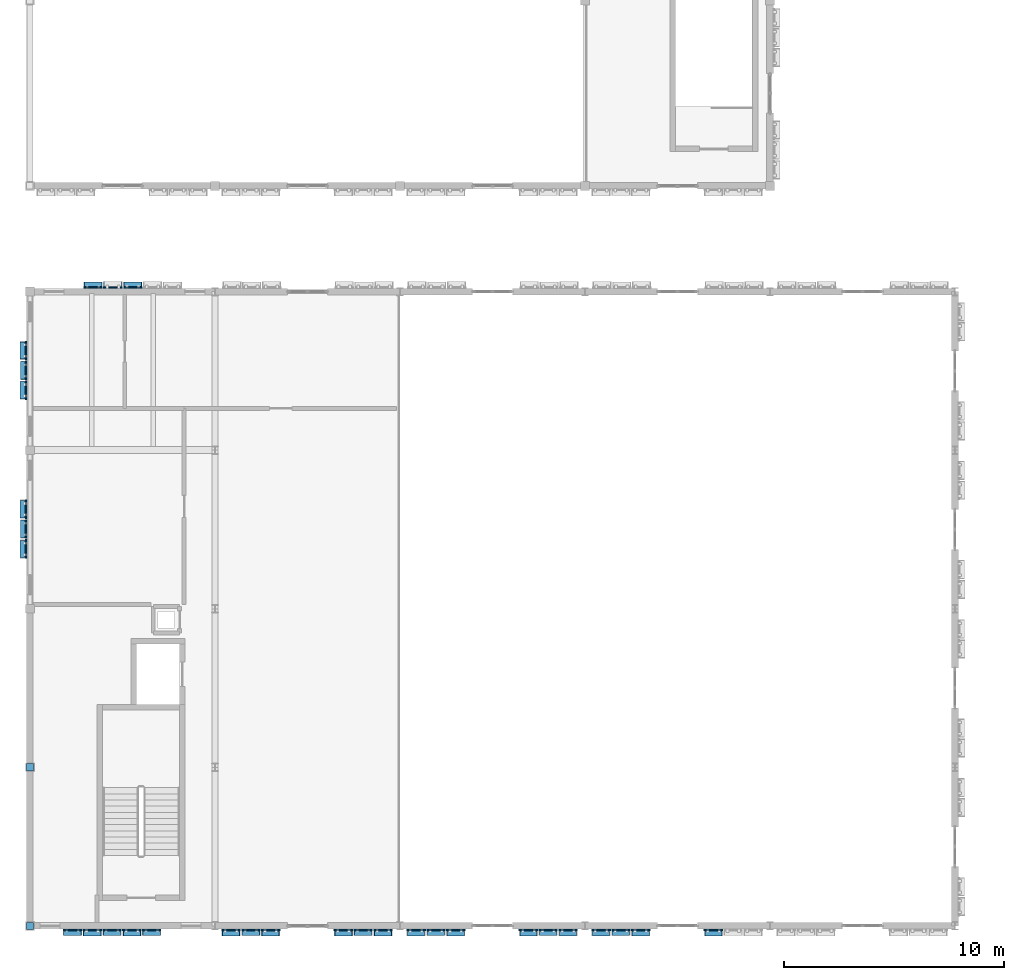
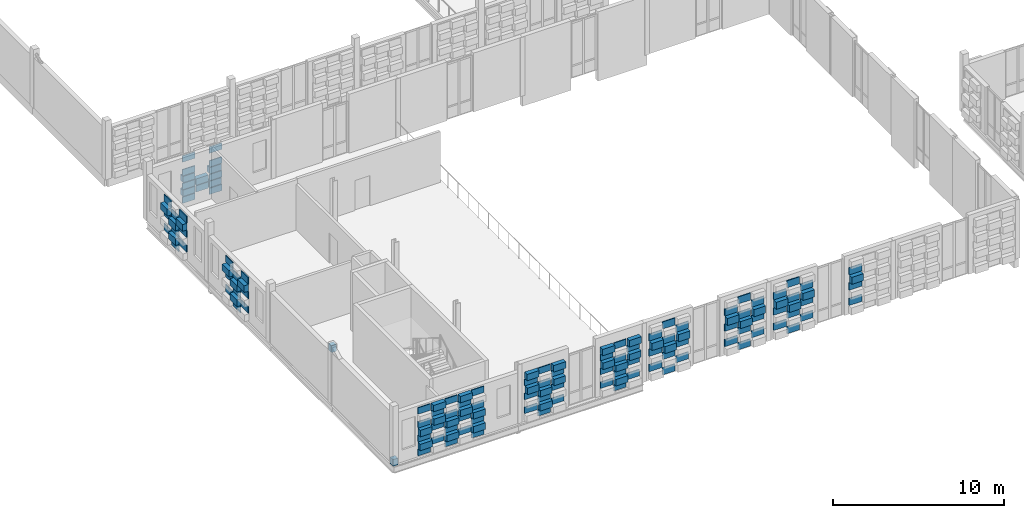
# One storey, part 42 of 81: 145 plates.
"""IFC4 building model written with IfcOpenShell, lengths in metres."""

from ifc_helpers import new_model, si_unit, direction, frame, origin, origin_2d, place, context, subcontext, project, spatial, rectangle, extrude, material, layer, layer_set, type_object, element, save


model = new_model("IFC4")

# Units and contexts
model_context = context("Model", 3, precision=1e-05, world=origin(), true_north=direction((0.0, 1.0)))
body_context = subcontext(model_context, "Body", "Model", "MODEL_VIEW")
ifc_project = project(units=[si_unit("LENGTHUNIT", "METRE"), si_unit("AREAUNIT", "SQUARE_METRE"), si_unit("VOLUMEUNIT", "CUBIC_METRE"), si_unit("PLANEANGLEUNIT", "RADIAN"), si_unit("MASSUNIT", "GRAM", prefix="KILO")], contexts=[model_context])

# Site, building, storey
site_placement = place(None, origin())
site = spatial("IfcSite", under=ifc_project, at=site_placement, CompositionType="ELEMENT")
building_placement = place(site_placement, origin())
building = spatial("IfcBuilding", under=site, at=building_placement, Name="Kahlenmark Community Centre", CompositionType="ELEMENT")
storey_placement = place(building_placement, frame((0.0, 0.0, 9.60009765625)))
storey = spatial("IfcBuildingStorey", under=building, at=storey_placement, Name="L02", CompositionType="ELEMENT", Elevation=9.60009765625)

# Plates
ifc_material_1 = material(Name="Extruded warm terracotta recessed weave tile", Category="masonry")
ifc_layer_1 = layer(ifc_material_1, 0.06005859375)
ifc_layer_set_1 = layer_set([ifc_layer_1], Name="Extruded warm terracotta recessed weave tile")
plate_type_1 = type_object("IfcPlateType", Name="PLT-TC-TC-R10-840X60X450", PredefinedType="SHEET", material=ifc_layer_set_1)
for number, where, z_axis, x_axis, name in (
    (1, (8.669921875, 37.780029296875, 0.10009765625), (0.0, 0.0, 1.0), (-1.0, 0.0, 0.0), "Basketweave terracotta cassette 1980"),
    (2, (8.669921875, 37.780029296875, 1.080078125), (0.0, 0.0, 1.0), (-1.0, 0.0, 0.0), "Basketweave terracotta cassette 1982"),
    (3, (8.669921875, 37.780029296875, 2.06005859375), (0.0, 0.0, 1.0), (-1.0, 0.0, 0.0), "Basketweave terracotta cassette 1984"),
    (4, (8.669921875, 37.780029296875, 3.0400390625), (0.0, 0.0, 1.0), (-1.0, 0.0, 0.0), "Basketweave terracotta cassette 1986"),
    (5, (6.8701171875, 37.780029296875, 0.10009765625), (0.0, 0.0, 1.0), (-1.0, 0.0, 0.0), "Basketweave terracotta cassette 1994"),
    (6, (6.8701171875, 37.780029296875, 1.080078125), (0.0, 0.0, 1.0), (-1.0, 0.0, 0.0), "Basketweave terracotta cassette 1996"),
    (7, (6.8701171875, 37.780029296875, 2.06005859375), (0.0, 0.0, 1.0), (-1.0, 0.0, 0.0), "Basketweave terracotta cassette 1998"),
    (8, (6.8701171875, 37.780029296875, 3.0400390625), (0.0, 0.0, 1.0), (-1.0, 0.0, 0.0), "Basketweave terracotta cassette 2000"),
):
    element("IfcPlate", number, at=place(storey_placement, frame(where, z_axis=z_axis, x_axis=x_axis)), inside=storey, type_object=plate_type_1, Name=name, PredefinedType="SHEET", context=body_context, shape_type="SweptSolid", body=[
        extrude(rectangle(XDim=0.840087890625, YDim=0.06005859375, at=origin_2d()), origin(), (0.0, 0.0, 1.0), 0.449951171875),
    ])
ifc_layer_2 = layer(ifc_material_1, 0.06005859375)
ifc_layer_set_2 = layer_set([ifc_layer_2], Name="Extruded warm terracotta recessed weave tile")
plate_type_2 = type_object("IfcPlateType", Name="PLT-TC-TC-R10-840X60X456", PredefinedType="SHEET", material=ifc_layer_set_2)
for number, where, z_axis, x_axis, name in (
    (9, (5.929931640625, 8.6201171875, 0.099853515625), (0.0, 0.0, 1.0), (1.0, 0.0, 0.0), "Basketweave terracotta cassette 1763"),
    (10, (5.929931640625, 8.6201171875, 1.091796875), (0.0, 0.0, 1.0), (1.0, 0.0, 0.0), "Basketweave terracotta cassette 1765"),
    (11, (5.929931640625, 8.6201171875, 2.083984375), (0.0, 0.0, 1.0), (1.0, 0.0, 0.0), "Basketweave terracotta cassette 1767"),
    (12, (5.929931640625, 8.6201171875, 3.075927734375), (0.0, 0.0, 1.0), (1.0, 0.0, 0.0), "Basketweave terracotta cassette 1769"),
    (13, (7.72998046875, 8.6201171875, 0.099853515625), (0.0, 0.0, 1.0), (1.0, 0.0, 0.0), "Basketweave terracotta cassette 1777"),
    (14, (7.72998046875, 8.6201171875, 1.091796875), (0.0, 0.0, 1.0), (1.0, 0.0, 0.0), "Basketweave terracotta cassette 1779"),
    (15, (7.72998046875, 8.6201171875, 2.083984375), (0.0, 0.0, 1.0), (1.0, 0.0, 0.0), "Basketweave terracotta cassette 1781"),
    (16, (7.72998046875, 8.6201171875, 3.075927734375), (0.0, 0.0, 1.0), (1.0, 0.0, 0.0), "Basketweave terracotta cassette 1783"),
    (17, (9.530029296875, 8.6201171875, 0.099853515625), (0.0, 0.0, 1.0), (1.0, 0.0, 0.0), "Basketweave terracotta cassette 1791"),
    (18, (9.530029296875, 8.6201171875, 1.091796875), (0.0, 0.0, 1.0), (1.0, 0.0, 0.0), "Basketweave terracotta cassette 1793"),
    (19, (9.530029296875, 8.6201171875, 2.083984375), (0.0, 0.0, 1.0), (1.0, 0.0, 0.0), "Basketweave terracotta cassette 1795"),
    (20, (9.530029296875, 8.6201171875, 3.075927734375), (0.0, 0.0, 1.0), (1.0, 0.0, 0.0), "Basketweave terracotta cassette 1797"),
    (21, (14.030029296875, 8.6201171875, 0.099853515625), (0.0, 0.0, 1.0), (1.0, 0.0, 0.0), "Basketweave terracotta cassette 1805"),
    (22, (14.030029296875, 8.6201171875, 1.091796875), (0.0, 0.0, 1.0), (1.0, 0.0, 0.0), "Basketweave terracotta cassette 1807"),
    (23, (14.030029296875, 8.6201171875, 2.083984375), (0.0, 0.0, 1.0), (1.0, 0.0, 0.0), "Basketweave terracotta cassette 1809"),
    (24, (14.030029296875, 8.6201171875, 3.075927734375), (0.0, 0.0, 1.0), (1.0, 0.0, 0.0), "Basketweave terracotta cassette 1811"),
    (25, (19.1298828125, 8.6201171875, 0.099853515625), (0.0, 0.0, 1.0), (1.0, 0.0, 0.0), "Basketweave terracotta cassette 1826"),
    (26, (19.1298828125, 8.6201171875, 1.091796875), (0.0, 0.0, 1.0), (1.0, 0.0, 0.0), "Basketweave terracotta cassette 1828"),
    (27, (19.1298828125, 8.6201171875, 2.083984375), (0.0, 0.0, 1.0), (1.0, 0.0, 0.0), "Basketweave terracotta cassette 1830"),
    (28, (19.1298828125, 8.6201171875, 3.075927734375), (0.0, 0.0, 1.0), (1.0, 0.0, 0.0), "Basketweave terracotta cassette 1832"),
):
    element("IfcPlate", number, at=place(storey_placement, frame(where, z_axis=z_axis, x_axis=x_axis)), inside=storey, type_object=plate_type_2, Name=name, PredefinedType="SHEET", context=body_context, shape_type="SweptSolid", body=[
        extrude(rectangle(XDim=0.840087890625, YDim=0.06005859375, at=origin_2d()), origin(), (0.0, 0.0, 1.0), 0.4560546875),
    ])
ifc_layer_3 = layer(ifc_material_1, 0.06005859375)
ifc_layer_set_3 = layer_set([ifc_layer_3], Name="Extruded warm terracotta recessed weave tile")
plate_type_3 = type_object("IfcPlateType", Name="PLT-TC-TC-R10-840X60X478", PredefinedType="SHEET", material=ifc_layer_set_3)
for number, where, z_axis, x_axis, name in (
    (29, (3.820068359375, 26.820068359375, 0.099853515625), (0.0, 0.0, 1.0), (0.0, -1.0, 0.0), "Basketweave terracotta cassette 2175"),
    (30, (3.820068359375, 26.820068359375, 1.135986328125), (0.0, 0.0, 1.0), (0.0, -1.0, 0.0), "Basketweave terracotta cassette 2177"),
    (31, (3.820068359375, 26.820068359375, 2.171875), (0.0, 0.0, 1.0), (0.0, -1.0, 0.0), "Basketweave terracotta cassette 2179"),
    (32, (3.820068359375, 34.02001953125, 0.099853515625), (0.0, 0.0, 1.0), (0.0, -1.0, 0.0), "Basketweave terracotta cassette 2193"),
    (33, (3.820068359375, 34.02001953125, 1.135986328125), (0.0, 0.0, 1.0), (0.0, -1.0, 0.0), "Basketweave terracotta cassette 2195"),
    (34, (3.820068359375, 34.02001953125, 2.171875), (0.0, 0.0, 1.0), (0.0, -1.0, 0.0), "Basketweave terracotta cassette 2197"),
):
    element("IfcPlate", number, at=place(storey_placement, frame(where, z_axis=z_axis, x_axis=x_axis)), inside=storey, type_object=plate_type_3, Name=name, PredefinedType="SHEET", context=body_context, shape_type="SweptSolid", body=[
        extrude(rectangle(XDim=0.840087890625, YDim=0.06005859375, at=origin_2d()), origin(), (0.0, 0.0, 1.0), 0.47802734375),
    ])
ifc_layer_4 = layer(ifc_material_1, 0.06005859375)
ifc_layer_set_4 = layer_set([ifc_layer_4], Name="Extruded warm terracotta recessed weave tile")
plate_type_4 = type_object("IfcPlateType", Name="PLT-TC-TC-R10-840X60X506", PredefinedType="SHEET", material=ifc_layer_set_4)
for number, where, z_axis, x_axis, name in (
    (35, (22.429931640625, 8.6201171875, 0.099609375), (0.0, 0.0, 1.0), (1.0, 0.0, 0.0), "Basketweave terracotta cassette 1847"),
    (36, (22.429931640625, 8.6201171875, 1.19189453125), (0.0, 0.0, 1.0), (1.0, 0.0, 0.0), "Basketweave terracotta cassette 1849"),
    (37, (22.429931640625, 8.6201171875, 2.28369140625), (0.0, 0.0, 1.0), (1.0, 0.0, 0.0), "Basketweave terracotta cassette 1851"),
    (38, (22.429931640625, 8.6201171875, 3.3759765625), (0.0, 0.0, 1.0), (1.0, 0.0, 0.0), "Basketweave terracotta cassette 1853"),
    (39, (27.530029296875, 8.6201171875, 0.099609375), (0.0, 0.0, 1.0), (1.0, 0.0, 0.0), "Basketweave terracotta cassette 1868"),
    (40, (27.530029296875, 8.6201171875, 1.19189453125), (0.0, 0.0, 1.0), (1.0, 0.0, 0.0), "Basketweave terracotta cassette 1870"),
    (41, (27.530029296875, 8.6201171875, 2.28369140625), (0.0, 0.0, 1.0), (1.0, 0.0, 0.0), "Basketweave terracotta cassette 1872"),
    (42, (27.530029296875, 8.6201171875, 3.3759765625), (0.0, 0.0, 1.0), (1.0, 0.0, 0.0), "Basketweave terracotta cassette 1874"),
    (43, (30.830078125, 8.6201171875, 0.099609375), (0.0, 0.0, 1.0), (1.0, 0.0, 0.0), "Basketweave terracotta cassette 1889"),
    (44, (30.830078125, 8.6201171875, 1.19189453125), (0.0, 0.0, 1.0), (1.0, 0.0, 0.0), "Basketweave terracotta cassette 1891"),
    (45, (30.830078125, 8.6201171875, 2.28369140625), (0.0, 0.0, 1.0), (1.0, 0.0, 0.0), "Basketweave terracotta cassette 1893"),
    (46, (30.830078125, 8.6201171875, 3.3759765625), (0.0, 0.0, 1.0), (1.0, 0.0, 0.0), "Basketweave terracotta cassette 1895"),
):
    element("IfcPlate", number, at=place(storey_placement, frame(where, z_axis=z_axis, x_axis=x_axis)), inside=storey, type_object=plate_type_4, Name=name, PredefinedType="SHEET", context=body_context, shape_type="SweptSolid", body=[
        extrude(rectangle(XDim=0.840087890625, YDim=0.06005859375, at=origin_2d()), origin(), (0.0, 0.0, 1.0), 0.506103515625),
    ])
ifc_layer_5 = layer(ifc_material_1, 0.06005859375)
ifc_layer_set_5 = layer_set([ifc_layer_5], Name="Extruded warm terracotta recessed weave tile")
plate_type_5 = type_object("IfcPlateType", Name="PLT-TC-TC-R10-860X60X450", PredefinedType="SHEET", material=ifc_layer_set_5)
plate_1_placement = place(storey_placement, frame((7.77001953125, 37.780029296875, 0.58984375), z_axis=(0.0, 0.0, 1.0), x_axis=(-1.0, 0.0, 0.0)))
element("IfcPlate", 47, at=plate_1_placement, inside=storey, type_object=plate_type_5, Name="Basketweave terracotta cassette 1988", PredefinedType="SHEET", context=body_context, shape_type="SweptSolid", body=[
    extrude(rectangle(XDim=0.860107421875, YDim=0.06005859375, at=origin_2d()), origin(), (0.0, 0.0, 1.0), 0.449951171875),
])
ifc_layer_6 = layer(ifc_material_1, 0.06005859375)
ifc_layer_set_6 = layer_set([ifc_layer_6], Name="Extruded warm terracotta recessed weave tile")
plate_type_6 = type_object("IfcPlateType", Name="PLT-TC-TC-R10-860X60X456", PredefinedType="SHEET", material=ifc_layer_set_6)
for number, where, z_axis, x_axis, name in (
    (48, (6.830078125, 8.6201171875, 0.595947265625), (0.0, 0.0, 1.0), (1.0, 0.0, 0.0), "Basketweave terracotta cassette 1771"),
    (49, (6.830078125, 8.6201171875, 1.587890625), (0.0, 0.0, 1.0), (1.0, 0.0, 0.0), "Basketweave terracotta cassette 1773"),
    (50, (6.830078125, 8.6201171875, 2.579833984375), (0.0, 0.0, 1.0), (1.0, 0.0, 0.0), "Basketweave terracotta cassette 1775"),
    (51, (8.6298828125, 8.6201171875, 0.595947265625), (0.0, 0.0, 1.0), (1.0, 0.0, 0.0), "Basketweave terracotta cassette 1785"),
    (52, (8.6298828125, 8.6201171875, 1.587890625), (0.0, 0.0, 1.0), (1.0, 0.0, 0.0), "Basketweave terracotta cassette 1787"),
    (53, (8.6298828125, 8.6201171875, 2.579833984375), (0.0, 0.0, 1.0), (1.0, 0.0, 0.0), "Basketweave terracotta cassette 1789"),
    (54, (13.1298828125, 8.6201171875, 0.595947265625), (0.0, 0.0, 1.0), (1.0, 0.0, 0.0), "Basketweave terracotta cassette 1799"),
    (55, (13.1298828125, 8.6201171875, 1.587890625), (0.0, 0.0, 1.0), (1.0, 0.0, 0.0), "Basketweave terracotta cassette 1801"),
    (56, (13.1298828125, 8.6201171875, 2.579833984375), (0.0, 0.0, 1.0), (1.0, 0.0, 0.0), "Basketweave terracotta cassette 1803"),
    (57, (14.929931640625, 8.6201171875, 0.595947265625), (0.0, 0.0, 1.0), (1.0, 0.0, 0.0), "Basketweave terracotta cassette 1813"),
    (58, (14.929931640625, 8.6201171875, 1.587890625), (0.0, 0.0, 1.0), (1.0, 0.0, 0.0), "Basketweave terracotta cassette 1815"),
    (59, (14.929931640625, 8.6201171875, 2.579833984375), (0.0, 0.0, 1.0), (1.0, 0.0, 0.0), "Basketweave terracotta cassette 1817"),
    (60, (18.22998046875, 8.6201171875, 0.595947265625), (0.0, 0.0, 1.0), (1.0, 0.0, 0.0), "Basketweave terracotta cassette 1820"),
    (61, (18.22998046875, 8.6201171875, 1.587890625), (0.0, 0.0, 1.0), (1.0, 0.0, 0.0), "Basketweave terracotta cassette 1822"),
    (62, (18.22998046875, 8.6201171875, 2.579833984375), (0.0, 0.0, 1.0), (1.0, 0.0, 0.0), "Basketweave terracotta cassette 1824"),
    (63, (20.030029296875, 8.6201171875, 0.595947265625), (0.0, 0.0, 1.0), (1.0, 0.0, 0.0), "Basketweave terracotta cassette 1834"),
    (64, (20.030029296875, 8.6201171875, 1.587890625), (0.0, 0.0, 1.0), (1.0, 0.0, 0.0), "Basketweave terracotta cassette 1836"),
    (65, (20.030029296875, 8.6201171875, 2.579833984375), (0.0, 0.0, 1.0), (1.0, 0.0, 0.0), "Basketweave terracotta cassette 1838"),
):
    element("IfcPlate", number, at=place(storey_placement, frame(where, z_axis=z_axis, x_axis=x_axis)), inside=storey, type_object=plate_type_6, Name=name, PredefinedType="SHEET", context=body_context, shape_type="SweptSolid", body=[
        extrude(rectangle(XDim=0.860107421875, YDim=0.06005859375, at=origin_2d()), origin(), (0.0, 0.0, 1.0), 0.4560546875),
    ])
ifc_layer_7 = layer(ifc_material_1, 0.06005859375)
ifc_layer_set_7 = layer_set([ifc_layer_7], Name="Extruded warm terracotta recessed weave tile")
plate_type_7 = type_object("IfcPlateType", Name="PLT-TC-TC-R10-860X60X478", PredefinedType="SHEET", material=ifc_layer_set_7)
for number, where, z_axis, x_axis, name in (
    (66, (3.820068359375, 27.719970703125, 0.617919921875), (0.0, 0.0, 1.0), (0.0, -1.0, 0.0), "Basketweave terracotta cassette 2170"),
    (67, (3.820068359375, 27.719970703125, 1.65380859375), (0.0, 0.0, 1.0), (0.0, -1.0, 0.0), "Basketweave terracotta cassette 2172"),
    (68, (3.820068359375, 27.719970703125, 2.68994140625), (0.0, 0.0, 1.0), (0.0, -1.0, 0.0), "Basketweave terracotta cassette 2174"),
    (69, (3.820068359375, 25.919921875, 0.617919921875), (0.0, 0.0, 1.0), (0.0, -1.0, 0.0), "Basketweave terracotta cassette 2182"),
    (70, (3.820068359375, 25.919921875, 1.65380859375), (0.0, 0.0, 1.0), (0.0, -1.0, 0.0), "Basketweave terracotta cassette 2184"),
    (71, (3.820068359375, 25.919921875, 2.68994140625), (0.0, 0.0, 1.0), (0.0, -1.0, 0.0), "Basketweave terracotta cassette 2186"),
    (72, (3.820068359375, 34.919921875, 0.617919921875), (0.0, 0.0, 1.0), (0.0, -1.0, 0.0), "Basketweave terracotta cassette 2188"),
    (73, (3.820068359375, 34.919921875, 1.65380859375), (0.0, 0.0, 1.0), (0.0, -1.0, 0.0), "Basketweave terracotta cassette 2190"),
    (74, (3.820068359375, 34.919921875, 2.68994140625), (0.0, 0.0, 1.0), (0.0, -1.0, 0.0), "Basketweave terracotta cassette 2192"),
    (75, (3.820068359375, 33.1201171875, 0.617919921875), (0.0, 0.0, 1.0), (0.0, -1.0, 0.0), "Basketweave terracotta cassette 2200"),
    (76, (3.820068359375, 33.1201171875, 1.65380859375), (0.0, 0.0, 1.0), (0.0, -1.0, 0.0), "Basketweave terracotta cassette 2202"),
    (77, (3.820068359375, 33.1201171875, 2.68994140625), (0.0, 0.0, 1.0), (0.0, -1.0, 0.0), "Basketweave terracotta cassette 2204"),
):
    element("IfcPlate", number, at=place(storey_placement, frame(where, z_axis=z_axis, x_axis=x_axis)), inside=storey, type_object=plate_type_7, Name=name, PredefinedType="SHEET", context=body_context, shape_type="SweptSolid", body=[
        extrude(rectangle(XDim=0.860107421875, YDim=0.06005859375, at=origin_2d()), origin(), (0.0, 0.0, 1.0), 0.47802734375),
    ])
ifc_layer_8 = layer(ifc_material_1, 0.06005859375)
ifc_layer_set_8 = layer_set([ifc_layer_8], Name="Extruded warm terracotta recessed weave tile")
plate_type_8 = type_object("IfcPlateType", Name="PLT-TC-TC-R10-860X60X506", PredefinedType="SHEET", material=ifc_layer_set_8)
for number, where, z_axis, x_axis, name in (
    (78, (21.530029296875, 8.6201171875, 0.64599609375), (0.0, 0.0, 1.0), (1.0, 0.0, 0.0), "Basketweave terracotta cassette 1841"),
    (79, (21.530029296875, 8.6201171875, 1.73779296875), (0.0, 0.0, 1.0), (1.0, 0.0, 0.0), "Basketweave terracotta cassette 1843"),
    (80, (21.530029296875, 8.6201171875, 2.830078125), (0.0, 0.0, 1.0), (1.0, 0.0, 0.0), "Basketweave terracotta cassette 1845"),
    (81, (23.330078125, 8.6201171875, 0.64599609375), (0.0, 0.0, 1.0), (1.0, 0.0, 0.0), "Basketweave terracotta cassette 1855"),
    (82, (23.330078125, 8.6201171875, 1.73779296875), (0.0, 0.0, 1.0), (1.0, 0.0, 0.0), "Basketweave terracotta cassette 1857"),
    (83, (23.330078125, 8.6201171875, 2.830078125), (0.0, 0.0, 1.0), (1.0, 0.0, 0.0), "Basketweave terracotta cassette 1859"),
    (84, (26.6298828125, 8.6201171875, 0.64599609375), (0.0, 0.0, 1.0), (1.0, 0.0, 0.0), "Basketweave terracotta cassette 1862"),
    (85, (26.6298828125, 8.6201171875, 1.73779296875), (0.0, 0.0, 1.0), (1.0, 0.0, 0.0), "Basketweave terracotta cassette 1864"),
    (86, (26.6298828125, 8.6201171875, 2.830078125), (0.0, 0.0, 1.0), (1.0, 0.0, 0.0), "Basketweave terracotta cassette 1866"),
    (87, (28.429931640625, 8.6201171875, 0.64599609375), (0.0, 0.0, 1.0), (1.0, 0.0, 0.0), "Basketweave terracotta cassette 1876"),
    (88, (28.429931640625, 8.6201171875, 1.73779296875), (0.0, 0.0, 1.0), (1.0, 0.0, 0.0), "Basketweave terracotta cassette 1878"),
    (89, (28.429931640625, 8.6201171875, 2.830078125), (0.0, 0.0, 1.0), (1.0, 0.0, 0.0), "Basketweave terracotta cassette 1880"),
    (90, (29.929931640625, 8.6201171875, 0.64599609375), (0.0, 0.0, 1.0), (1.0, 0.0, 0.0), "Basketweave terracotta cassette 1883"),
    (91, (29.929931640625, 8.6201171875, 1.73779296875), (0.0, 0.0, 1.0), (1.0, 0.0, 0.0), "Basketweave terracotta cassette 1885"),
    (92, (29.929931640625, 8.6201171875, 2.830078125), (0.0, 0.0, 1.0), (1.0, 0.0, 0.0), "Basketweave terracotta cassette 1887"),
    (93, (31.72998046875, 8.6201171875, 0.64599609375), (0.0, 0.0, 1.0), (1.0, 0.0, 0.0), "Basketweave terracotta cassette 1897"),
    (94, (31.72998046875, 8.6201171875, 1.73779296875), (0.0, 0.0, 1.0), (1.0, 0.0, 0.0), "Basketweave terracotta cassette 1899"),
    (95, (31.72998046875, 8.6201171875, 2.830078125), (0.0, 0.0, 1.0), (1.0, 0.0, 0.0), "Basketweave terracotta cassette 1901"),
    (96, (35.030029296875, 8.6201171875, 0.64599609375), (0.0, 0.0, 1.0), (1.0, 0.0, 0.0), "Basketweave terracotta cassette 1904"),
    (97, (35.030029296875, 8.6201171875, 1.73779296875), (0.0, 0.0, 1.0), (1.0, 0.0, 0.0), "Basketweave terracotta cassette 1906"),
    (98, (35.030029296875, 8.6201171875, 2.830078125), (0.0, 0.0, 1.0), (1.0, 0.0, 0.0), "Basketweave terracotta cassette 1908"),
):
    element("IfcPlate", number, at=place(storey_placement, frame(where, z_axis=z_axis, x_axis=x_axis)), inside=storey, type_object=plate_type_8, Name=name, PredefinedType="SHEET", context=body_context, shape_type="SweptSolid", body=[
        extrude(rectangle(XDim=0.860107421875, YDim=0.06005859375, at=origin_2d()), origin(), (0.0, 0.0, 1.0), 0.506103515625),
    ])
ifc_material_2 = material(Name="Extruded glazed terracotta weave cassette", Category="masonry")
ifc_layer_9 = layer(ifc_material_2, 0.300048828125)
ifc_layer_set_9 = layer_set([ifc_layer_9], Name="Extruded glazed terracotta weave cassette")
plate_type_9 = type_object("IfcPlateType", Name="PLT-TC-TC-R34-780X300X456", PredefinedType="SHEET", material=ifc_layer_set_9)
for number, where, z_axis, x_axis, name in (
    (99, (6.830078125, 8.5, 2.083984375), (0.0, 0.0, 1.0), (1.0, 0.0, 0.0), "Basketweave terracotta cassette 1774"),
    (100, (8.6298828125, 8.5, 2.083984375), (0.0, 0.0, 1.0), (1.0, 0.0, 0.0), "Basketweave terracotta cassette 1788"),
    (101, (13.1298828125, 8.5, 2.083984375), (0.0, 0.0, 1.0), (1.0, 0.0, 0.0), "Basketweave terracotta cassette 1802"),
    (102, (14.929931640625, 8.5, 2.083984375), (0.0, 0.0, 1.0), (1.0, 0.0, 0.0), "Basketweave terracotta cassette 1816"),
    (103, (18.22998046875, 8.5, 2.083984375), (0.0, 0.0, 1.0), (1.0, 0.0, 0.0), "Basketweave terracotta cassette 1823"),
    (104, (20.030029296875, 8.5, 2.083984375), (0.0, 0.0, 1.0), (1.0, 0.0, 0.0), "Basketweave terracotta cassette 1837"),
):
    element("IfcPlate", number, at=place(storey_placement, frame(where, z_axis=z_axis, x_axis=x_axis)), inside=storey, type_object=plate_type_9, Name=name, PredefinedType="SHEET", context=body_context, shape_type="SweptSolid", body=[
        extrude(rectangle(XDim=0.780029296875, YDim=0.300048828125, at=origin_2d()), origin(), (0.0, 0.0, 1.0), 0.4560546875),
    ])
ifc_layer_10 = layer(ifc_material_2, 0.300048828125)
ifc_layer_set_10 = layer_set([ifc_layer_10], Name="Extruded glazed terracotta weave cassette")
plate_type_10 = type_object("IfcPlateType", Name="PLT-TC-TC-R34-780X300X478", PredefinedType="SHEET", material=ifc_layer_set_10)
for number, where, z_axis, x_axis, name in (
    (105, (3.699951171875, 27.719970703125, 2.171875), (0.0, 0.0, 1.0), (0.0, -1.0, 0.0), "Basketweave terracotta cassette 2173"),
    (106, (3.699951171875, 25.919921875, 2.171875), (0.0, 0.0, 1.0), (0.0, -1.0, 0.0), "Basketweave terracotta cassette 2185"),
    (107, (3.699951171875, 34.919921875, 2.171875), (0.0, 0.0, 1.0), (0.0, -1.0, 0.0), "Basketweave terracotta cassette 2191"),
    (108, (3.699951171875, 33.1201171875, 2.171875), (0.0, 0.0, 1.0), (0.0, -1.0, 0.0), "Basketweave terracotta cassette 2203"),
):
    element("IfcPlate", number, at=place(storey_placement, frame(where, z_axis=z_axis, x_axis=x_axis)), inside=storey, type_object=plate_type_10, Name=name, PredefinedType="SHEET", context=body_context, shape_type="SweptSolid", body=[
        extrude(rectangle(XDim=0.780029296875, YDim=0.300048828125, at=origin_2d()), origin(), (0.0, 0.0, 1.0), 0.47802734375),
    ])
ifc_layer_11 = layer(ifc_material_2, 0.300048828125)
ifc_layer_set_11 = layer_set([ifc_layer_11], Name="Extruded glazed terracotta weave cassette")
plate_type_11 = type_object("IfcPlateType", Name="PLT-TC-TC-R34-780X300X506", PredefinedType="SHEET", material=ifc_layer_set_11)
for number, where, z_axis, x_axis, name in (
    (109, (21.530029296875, 8.5, 2.28369140625), (0.0, 0.0, 1.0), (1.0, 0.0, 0.0), "Basketweave terracotta cassette 1844"),
    (110, (23.330078125, 8.5, 2.28369140625), (0.0, 0.0, 1.0), (1.0, 0.0, 0.0), "Basketweave terracotta cassette 1858"),
    (111, (26.6298828125, 8.5, 2.28369140625), (0.0, 0.0, 1.0), (1.0, 0.0, 0.0), "Basketweave terracotta cassette 1865"),
    (112, (28.429931640625, 8.5, 2.28369140625), (0.0, 0.0, 1.0), (1.0, 0.0, 0.0), "Basketweave terracotta cassette 1879"),
    (113, (29.929931640625, 8.5, 2.28369140625), (0.0, 0.0, 1.0), (1.0, 0.0, 0.0), "Basketweave terracotta cassette 1886"),
    (114, (31.72998046875, 8.5, 2.28369140625), (0.0, 0.0, 1.0), (1.0, 0.0, 0.0), "Basketweave terracotta cassette 1900"),
    (115, (35.030029296875, 8.5, 2.28369140625), (0.0, 0.0, 1.0), (1.0, 0.0, 0.0), "Basketweave terracotta cassette 1907"),
):
    element("IfcPlate", number, at=place(storey_placement, frame(where, z_axis=z_axis, x_axis=x_axis)), inside=storey, type_object=plate_type_11, Name=name, PredefinedType="SHEET", context=body_context, shape_type="SweptSolid", body=[
        extrude(rectangle(XDim=0.780029296875, YDim=0.300048828125, at=origin_2d()), origin(), (0.0, 0.0, 1.0), 0.506103515625),
    ])
ifc_layer_12 = layer(ifc_material_2, 0.300048828125)
ifc_layer_set_12 = layer_set([ifc_layer_12], Name="Extruded glazed terracotta weave cassette")
plate_type_12 = type_object("IfcPlateType", Name="PLT-TC-TC-R34-820X300X456", PredefinedType="SHEET", material=ifc_layer_set_12)
for number, where, z_axis, x_axis, name in (
    (116, (6.830078125, 8.5, 3.075927734375), (0.0, 0.0, 1.0), (1.0, 0.0, 0.0), "Basketweave terracotta cassette 1776"),
    (117, (8.6298828125, 8.5, 3.075927734375), (0.0, 0.0, 1.0), (1.0, 0.0, 0.0), "Basketweave terracotta cassette 1790"),
    (118, (13.1298828125, 8.5, 3.075927734375), (0.0, 0.0, 1.0), (1.0, 0.0, 0.0), "Basketweave terracotta cassette 1804"),
    (119, (14.929931640625, 8.5, 3.075927734375), (0.0, 0.0, 1.0), (1.0, 0.0, 0.0), "Basketweave terracotta cassette 1818"),
    (120, (18.22998046875, 8.5, 3.075927734375), (0.0, 0.0, 1.0), (1.0, 0.0, 0.0), "Basketweave terracotta cassette 1825"),
    (121, (20.030029296875, 8.5, 3.075927734375), (0.0, 0.0, 1.0), (1.0, 0.0, 0.0), "Basketweave terracotta cassette 1839"),
):
    element("IfcPlate", number, at=place(storey_placement, frame(where, z_axis=z_axis, x_axis=x_axis)), inside=storey, type_object=plate_type_12, Name=name, PredefinedType="SHEET", context=body_context, shape_type="SweptSolid", body=[
        extrude(rectangle(XDim=0.820068359375, YDim=0.300048828125, at=origin_2d()), origin(), (0.0, 0.0, 1.0), 0.4560546875),
    ])
ifc_layer_13 = layer(ifc_material_2, 0.300048828125)
ifc_layer_set_13 = layer_set([ifc_layer_13], Name="Extruded glazed terracotta weave cassette")
plate_type_13 = type_object("IfcPlateType", Name="PLT-TC-TC-R34-840X300X450", PredefinedType="SHEET", material=ifc_layer_set_13)
plate_2_placement = place(storey_placement, frame((7.77001953125, 37.89990234375, 1.080078125), z_axis=(0.0, 0.0, 1.0), x_axis=(-1.0, 0.0, 0.0)))
element("IfcPlate", 122, at=plate_2_placement, inside=storey, type_object=plate_type_13, Name="Basketweave terracotta cassette 1989", PredefinedType="SHEET", context=body_context, shape_type="SweptSolid", body=[
    extrude(rectangle(XDim=0.840087890625, YDim=0.300048828125, at=origin_2d()), origin(), (0.0, 0.0, 1.0), 0.449951171875),
])
ifc_layer_14 = layer(ifc_material_2, 0.280029296875)
ifc_layer_set_14 = layer_set([ifc_layer_14], Name="Extruded glazed terracotta weave cassette")
plate_type_14 = type_object("IfcPlateType", Name="PLT-TC-TC-W30-800X280X450", PredefinedType="SHEET", material=ifc_layer_set_14)
for number, where, z_axis, x_axis, name in (
    (123, (8.669921875, 37.889892578125, 1.56982421875), (0.0, 0.0, 1.0), (-1.0, 0.0, 0.0), "Basketweave terracotta cassette 1983"),
    (124, (6.8701171875, 37.889892578125, 1.56982421875), (0.0, 0.0, 1.0), (-1.0, 0.0, 0.0), "Basketweave terracotta cassette 1997"),
):
    element("IfcPlate", number, at=place(storey_placement, frame(where, z_axis=z_axis, x_axis=x_axis)), inside=storey, type_object=plate_type_14, Name=name, PredefinedType="SHEET", context=body_context, shape_type="SweptSolid", body=[
        extrude(rectangle(XDim=0.800048828125, YDim=0.280029296875, at=origin_2d()), origin(), (0.0, 0.0, 1.0), 0.449951171875),
    ])
ifc_layer_15 = layer(ifc_material_2, 0.280029296875)
ifc_layer_set_15 = layer_set([ifc_layer_15], Name="Extruded glazed terracotta weave cassette")
plate_type_15 = type_object("IfcPlateType", Name="PLT-TC-TC-W30-800X280X456", PredefinedType="SHEET", material=ifc_layer_set_15)
for number, where, z_axis, x_axis, name in (
    (125, (5.929931640625, 8.510009765625, 1.587890625), (0.0, 0.0, 1.0), (1.0, 0.0, 0.0), "Basketweave terracotta cassette 1766"),
    (126, (7.72998046875, 8.510009765625, 1.587890625), (0.0, 0.0, 1.0), (1.0, 0.0, 0.0), "Basketweave terracotta cassette 1780"),
    (127, (9.530029296875, 8.510009765625, 1.587890625), (0.0, 0.0, 1.0), (1.0, 0.0, 0.0), "Basketweave terracotta cassette 1794"),
    (128, (14.030029296875, 8.510009765625, 1.587890625), (0.0, 0.0, 1.0), (1.0, 0.0, 0.0), "Basketweave terracotta cassette 1808"),
    (129, (19.1298828125, 8.510009765625, 1.587890625), (0.0, 0.0, 1.0), (1.0, 0.0, 0.0), "Basketweave terracotta cassette 1829"),
):
    element("IfcPlate", number, at=place(storey_placement, frame(where, z_axis=z_axis, x_axis=x_axis)), inside=storey, type_object=plate_type_15, Name=name, PredefinedType="SHEET", context=body_context, shape_type="SweptSolid", body=[
        extrude(rectangle(XDim=0.800048828125, YDim=0.280029296875, at=origin_2d()), origin(), (0.0, 0.0, 1.0), 0.4560546875),
    ])
ifc_layer_16 = layer(ifc_material_2, 0.280029296875)
ifc_layer_set_16 = layer_set([ifc_layer_16], Name="Extruded glazed terracotta weave cassette")
plate_type_16 = type_object("IfcPlateType", Name="PLT-TC-TC-W30-800X280X478", PredefinedType="SHEET", material=ifc_layer_set_16)
for number, where, z_axis, x_axis, name in (
    (130, (3.7099609375, 26.820068359375, 1.65380859375), (0.0, 0.0, 1.0), (0.0, -1.0, 0.0), "Basketweave terracotta cassette 2178"),
    (131, (3.7099609375, 34.02001953125, 1.65380859375), (0.0, 0.0, 1.0), (0.0, -1.0, 0.0), "Basketweave terracotta cassette 2196"),
):
    element("IfcPlate", number, at=place(storey_placement, frame(where, z_axis=z_axis, x_axis=x_axis)), inside=storey, type_object=plate_type_16, Name=name, PredefinedType="SHEET", context=body_context, shape_type="SweptSolid", body=[
        extrude(rectangle(XDim=0.800048828125, YDim=0.280029296875, at=origin_2d()), origin(), (0.0, 0.0, 1.0), 0.47802734375),
    ])
ifc_layer_17 = layer(ifc_material_2, 0.280029296875)
ifc_layer_set_17 = layer_set([ifc_layer_17], Name="Extruded glazed terracotta weave cassette")
plate_type_17 = type_object("IfcPlateType", Name="PLT-TC-TC-W30-800X280X506", PredefinedType="SHEET", material=ifc_layer_set_17)
for number, where, z_axis, x_axis, name in (
    (132, (22.429931640625, 8.510009765625, 1.73779296875), (0.0, 0.0, 1.0), (1.0, 0.0, 0.0), "Basketweave terracotta cassette 1850"),
    (133, (27.530029296875, 8.510009765625, 1.73779296875), (0.0, 0.0, 1.0), (1.0, 0.0, 0.0), "Basketweave terracotta cassette 1871"),
    (134, (30.830078125, 8.510009765625, 1.73779296875), (0.0, 0.0, 1.0), (1.0, 0.0, 0.0), "Basketweave terracotta cassette 1892"),
):
    element("IfcPlate", number, at=place(storey_placement, frame(where, z_axis=z_axis, x_axis=x_axis)), inside=storey, type_object=plate_type_17, Name=name, PredefinedType="SHEET", context=body_context, shape_type="SweptSolid", body=[
        extrude(rectangle(XDim=0.800048828125, YDim=0.280029296875, at=origin_2d()), origin(), (0.0, 0.0, 1.0), 0.506103515625),
    ])
ifc_layer_18 = layer(ifc_material_2, 0.280029296875)
ifc_layer_set_18 = layer_set([ifc_layer_18], Name="Extruded glazed terracotta weave cassette")
plate_type_18 = type_object("IfcPlateType", Name="PLT-TC-TC-W30-820X280X450", PredefinedType="SHEET", material=ifc_layer_set_18)
for number, where, z_axis, x_axis, name in (
    (135, (8.669921875, 37.889892578125, 0.58984375), (0.0, 0.0, 1.0), (-1.0, 0.0, 0.0), "Basketweave terracotta cassette 1981"),
    (136, (6.8701171875, 37.889892578125, 0.58984375), (0.0, 0.0, 1.0), (-1.0, 0.0, 0.0), "Basketweave terracotta cassette 1995"),
):
    element("IfcPlate", number, at=place(storey_placement, frame(where, z_axis=z_axis, x_axis=x_axis)), inside=storey, type_object=plate_type_18, Name=name, PredefinedType="SHEET", context=body_context, shape_type="SweptSolid", body=[
        extrude(rectangle(XDim=0.820068359375, YDim=0.280029296875, at=origin_2d()), origin(), (0.0, 0.0, 1.0), 0.449951171875),
    ])
ifc_layer_19 = layer(ifc_material_2, 0.280029296875)
ifc_layer_set_19 = layer_set([ifc_layer_19], Name="Extruded glazed terracotta weave cassette")
plate_type_19 = type_object("IfcPlateType", Name="PLT-TC-TC-W30-820X280X456", PredefinedType="SHEET", material=ifc_layer_set_19)
for number, where, z_axis, x_axis, name in (
    (137, (5.929931640625, 8.510009765625, 0.595947265625), (0.0, 0.0, 1.0), (1.0, 0.0, 0.0), "Basketweave terracotta cassette 1764"),
    (138, (7.72998046875, 8.510009765625, 0.595947265625), (0.0, 0.0, 1.0), (1.0, 0.0, 0.0), "Basketweave terracotta cassette 1778"),
    (139, (9.530029296875, 8.510009765625, 0.595947265625), (0.0, 0.0, 1.0), (1.0, 0.0, 0.0), "Basketweave terracotta cassette 1792"),
    (140, (14.030029296875, 8.510009765625, 0.595947265625), (0.0, 0.0, 1.0), (1.0, 0.0, 0.0), "Basketweave terracotta cassette 1806"),
    (141, (19.1298828125, 8.510009765625, 0.595947265625), (0.0, 0.0, 1.0), (1.0, 0.0, 0.0), "Basketweave terracotta cassette 1827"),
):
    element("IfcPlate", number, at=place(storey_placement, frame(where, z_axis=z_axis, x_axis=x_axis)), inside=storey, type_object=plate_type_19, Name=name, PredefinedType="SHEET", context=body_context, shape_type="SweptSolid", body=[
        extrude(rectangle(XDim=0.820068359375, YDim=0.280029296875, at=origin_2d()), origin(), (0.0, 0.0, 1.0), 0.4560546875),
    ])
ifc_layer_20 = layer(ifc_material_2, 0.280029296875)
ifc_layer_set_20 = layer_set([ifc_layer_20], Name="Extruded glazed terracotta weave cassette")
plate_type_20 = type_object("IfcPlateType", Name="PLT-TC-TC-W30-820X280X478", PredefinedType="SHEET", material=ifc_layer_set_20)
for number, where, z_axis, x_axis, name in (
    (142, (3.7099609375, 26.820068359375, 0.617919921875), (0.0, 0.0, 1.0), (0.0, -1.0, 0.0), "Basketweave terracotta cassette 2176"),
    (143, (3.7099609375, 34.02001953125, 0.617919921875), (0.0, 0.0, 1.0), (0.0, -1.0, 0.0), "Basketweave terracotta cassette 2194"),
):
    element("IfcPlate", number, at=place(storey_placement, frame(where, z_axis=z_axis, x_axis=x_axis)), inside=storey, type_object=plate_type_20, Name=name, PredefinedType="SHEET", context=body_context, shape_type="SweptSolid", body=[
        extrude(rectangle(XDim=0.820068359375, YDim=0.280029296875, at=origin_2d()), origin(), (0.0, 0.0, 1.0), 0.47802734375),
    ])
ifc_material_3 = material(Name="Steel S355", Category="steel")
ifc_layer_21 = layer(ifc_material_3, 0.02392578125)
ifc_layer_set_21 = layer_set([ifc_layer_21], Name="Steel S355")
plate_type_21 = type_object("IfcPlateType", Name="PT-NODE-BN-01-33X33X48", PredefinedType="USERDEFINED", material=ifc_layer_set_21)
for number, where, z_axis, x_axis, name in (
    (144, (4.0, 8.800048828125, -0.090087890625), (0.0, 0.0, 1.0), (1.0, 0.0, 0.0), "Steel hollow-node cap plate 0351"),
    (145, (4.0, 16.0, 3.659912109375), (0.0, 0.0, 1.0), (1.0, 0.0, 0.0), "Steel hollow-node cap plate 0352"),
):
    element("IfcPlate", number, at=place(storey_placement, frame(where, z_axis=z_axis, x_axis=x_axis)), inside=storey, type_object=plate_type_21, Name=name, ObjectType="STIFFENER_PLATE", PredefinedType="USERDEFINED", context=body_context, shape_type="SweptSolid", body=[
        extrude(rectangle(XDim=0.330078125, YDim=0.330078125, at=origin_2d()), origin(), (0.0, 0.0, 1.0), 0.47998046875),
    ])

save(model, "model.ifc")
